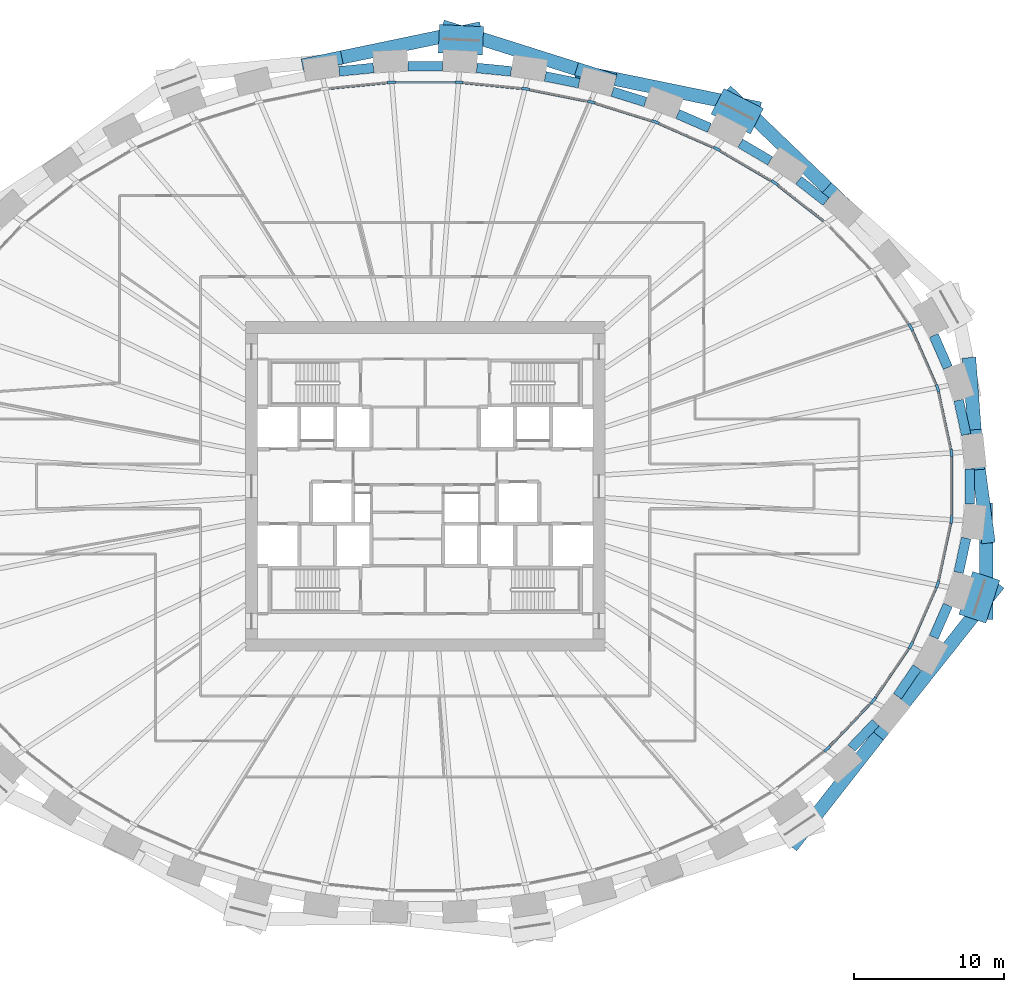
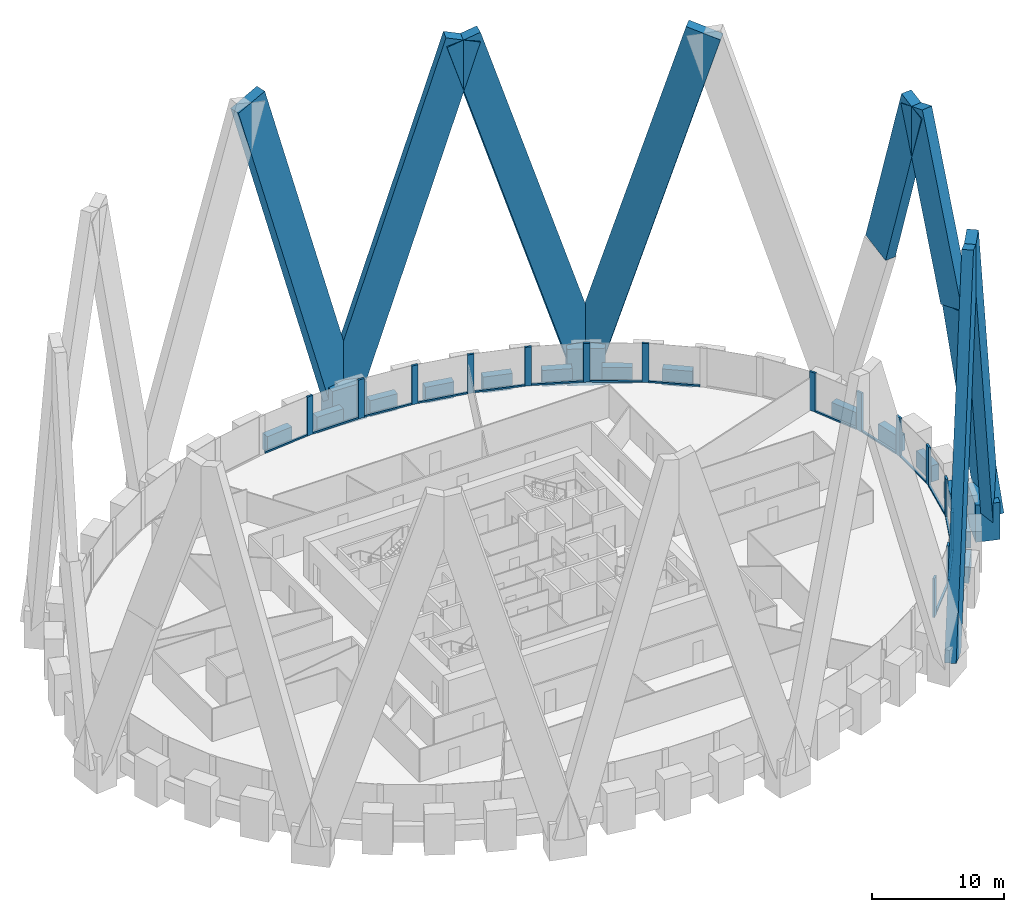
# One storey, part 4 of 12: 42 members, 15 beams, 1 element without a shape of its own.
"""IFC4 building model written with IfcOpenShell, lengths in metres."""

from ifc_helpers import new_model, si_unit, direction, frame, origin, origin_2d, place, context, subcontext, project, spatial, rectangle, extrude, source, transform, mapped, material, material_profile, profile_set, type_object, element, aggregate, save


model = new_model("IFC4")

# Units and contexts
model_context = context("Model", 3, precision=1e-05, world=origin(), true_north=direction((0.0, 1.0)))
body_context = subcontext(model_context, "Body", "Model", "MODEL_VIEW")
ifc_project = project(units=[si_unit("LENGTHUNIT", "METRE"), si_unit("AREAUNIT", "SQUARE_METRE"), si_unit("VOLUMEUNIT", "CUBIC_METRE"), si_unit("PLANEANGLEUNIT", "RADIAN"), si_unit("MASSUNIT", "GRAM", prefix="KILO")], contexts=[model_context])

# Site, building, storey
site_placement = place(None, origin())
site = spatial("IfcSite", under=ifc_project, at=site_placement, CompositionType="ELEMENT")
building_placement = place(site_placement, origin())
building = spatial("IfcBuilding", under=site, at=building_placement, Name="Embergate Tower", CompositionType="ELEMENT")
storey_placement = place(building_placement, frame((0.0, 0.0, 191.10009765625)))
storey = spatial("IfcBuildingStorey", under=building, at=storey_placement, Name="L43", CompositionType="ELEMENT", Elevation=191.10009765625)

# Beams
ifc_material_1 = material(Name="Concrete C70", Category="concrete")
ifc_material_profile_1 = material_profile(ifc_material_1, rectangle(XDim=0.64990234375, YDim=1.5, at=origin_2d()), Name="RC 650x1500")
ifc_profile_set_1 = profile_set([ifc_material_profile_1], Name="Concrete C70")
beam_type = type_object("IfcBeamType", Name="Spandrel beam RC 650x1500 C70", PredefinedType="BEAM", material=ifc_profile_set_1)
shared_shape_1 = source(origin(), body_context, "Body", "SweptSolid", [
    extrude(rectangle(XDim=0.64990234375, YDim=1.5, at=origin_2d()), origin(), (0.0, 0.0, 1.0), 2.34375),
])
for number, where, z_axis, x_axis, name in (
    (1, (36.10791015625, 3.458984375, 0.0), (-0.210738330645, 0.977542508537, 0.0), (-0.977542508537, -0.210738330645, 0.0), "SPN-L43-00"),
    (2, (35.614013671875, -5.75, 0.0), (0.210738330645, 0.977542508537, 0.0), (-0.977542508537, 0.210738330645, 0.0), "SPN-L43-42"),
):
    element("IfcBeam", number, at=place(storey_placement, frame(where, z_axis=z_axis, x_axis=x_axis)), inside=storey, type_object=beam_type, Name=name, PredefinedType="BEAM", context=body_context, shape_type="MappedRepresentation", body=[
        mapped(shared_shape_1, transform((0.0, 0.0, 0.0))),
    ])
shared_shape_2 = source(origin(), body_context, "Body", "SweptSolid", [
    extrude(rectangle(XDim=0.64990234375, YDim=1.5, at=origin_2d()), origin(), (0.0, 0.0, 1.0), 2.3349609375),
])
for number, where, z_axis, x_axis, name in (
    (3, (34.887939453125, 7.931884765625, 0.0), (-0.401729187016, 0.915758516368, 0.0), (-0.915758516368, -0.401729187016, 0.0), "SPN-L43-01"),
    (4, (33.949951171875, -10.070068359375, 0.0), (0.401729187016, 0.915758516368, 0.0), (-0.915758516368, 0.401729187016, 0.0), "SPN-L43-41"),
):
    element("IfcBeam", number, at=place(storey_placement, frame(where, z_axis=z_axis, x_axis=x_axis)), inside=storey, type_object=beam_type, Name=name, PredefinedType="BEAM", context=body_context, shape_type="MappedRepresentation", body=[
        mapped(shared_shape_2, transform((0.0, 0.0, 0.0))),
    ])
shared_shape_3 = source(origin(), body_context, "Body", "SweptSolid", [
    extrude(rectangle(XDim=0.64990234375, YDim=1.5, at=origin_2d()), origin(), (0.0, 0.0, 1.0), 2.329345703125),
])
beam_1_placement = place(storey_placement, frame((31.52587890625, -14.009033203125, 0.0), z_axis=(0.562416089232, 0.826854366, 0.0), x_axis=(-0.826854366, 0.562416089232, 0.0)))
element("IfcBeam", 5, at=beam_1_placement, inside=storey, type_object=beam_type, Name="SPN-L43-40", PredefinedType="BEAM", context=body_context, shape_type="MappedRepresentation", body=[
    mapped(shared_shape_3, transform((0.0, 0.0, 0.0))),
])
shared_shape_4 = source(origin(), body_context, "Body", "SweptSolid", [
    extrude(rectangle(XDim=0.64990234375, YDim=1.5, at=origin_2d()), origin(), (0.0, 0.0, 1.0), 2.322265625),
])
beam_2_placement = place(storey_placement, frame((28.462890625, -17.466064453125, 0.0), z_axis=(0.690300694886, 0.723522598569, 0.0), x_axis=(-0.723522598569, 0.690300694886, 0.0)))
element("IfcBeam", 6, at=beam_2_placement, inside=storey, type_object=beam_type, Name="SPN-L43-39", PredefinedType="BEAM", context=body_context, shape_type="MappedRepresentation", body=[
    mapped(shared_shape_4, transform((0.0, 0.0, 0.0))),
])
shared_shape_5 = source(origin(), body_context, "Body", "SweptSolid", [
    extrude(rectangle(XDim=0.64990234375, YDim=1.5, at=origin_2d()), origin(), (0.0, 0.0, 1.0), 2.31787109375),
])
beam_3_placement = place(storey_placement, frame((26.758056640625, 19.010009765625, 0.0), z_axis=(-0.788324506127, 0.615259679354, 0.0), x_axis=(-0.615259679354, -0.788324506127, 0.0)))
element("IfcBeam", 7, at=beam_3_placement, inside=storey, type_object=beam_type, Name="SPN-L43-04", PredefinedType="BEAM", context=body_context, shape_type="MappedRepresentation", body=[
    mapped(shared_shape_5, transform((0.0, 0.0, 0.0))),
])
shared_shape_6 = source(origin(), body_context, "Body", "SweptSolid", [
    extrude(rectangle(XDim=0.64990234375, YDim=1.5, at=origin_2d()), origin(), (0.0, 0.0, 1.0), 2.31298828125),
])
beam_4_placement = place(storey_placement, frame((23.029052734375, 21.72998046875, 0.0), z_axis=(-0.86210510292, 0.506729505279, 0.0), x_axis=(-0.506729505279, -0.86210510292, 0.0)))
element("IfcBeam", 8, at=beam_4_placement, inside=storey, type_object=beam_type, Name="SPN-L43-05", PredefinedType="BEAM", context=body_context, shape_type="MappedRepresentation", body=[
    mapped(shared_shape_6, transform((0.0, 0.0, 0.0))),
])
shared_shape_7 = source(origin(), body_context, "Body", "SweptSolid", [
    extrude(rectangle(XDim=0.64990234375, YDim=1.5, at=origin_2d()), origin(), (0.0, 0.0, 1.0), 2.30810546875),
])
beam_5_placement = place(storey_placement, frame((18.97705078125, 23.929931640625, 0.0), z_axis=(-0.91635386748, 0.40036931645, 0.0), x_axis=(-0.40036931645, -0.91635386748, 0.0)))
element("IfcBeam", 9, at=beam_5_placement, inside=storey, type_object=beam_type, Name="SPN-L43-06", PredefinedType="BEAM", context=body_context, shape_type="MappedRepresentation", body=[
    mapped(shared_shape_7, transform((0.0, 0.0, 0.0))),
])
shared_shape_8 = source(origin(), body_context, "Body", "SweptSolid", [
    extrude(rectangle(XDim=0.64990234375, YDim=1.5, at=origin_2d()), origin(), (0.0, 0.0, 1.0), 2.306640625),
])
beam_6_placement = place(storey_placement, frame((14.70703125, 25.657958984375, 0.0), z_axis=(-0.954743281812, 0.297431111074, 0.0), x_axis=(-0.297431111074, -0.954743281812, 0.0)))
element("IfcBeam", 10, at=beam_6_placement, inside=storey, type_object=beam_type, Name="SPN-L43-07", PredefinedType="BEAM", context=body_context, shape_type="MappedRepresentation", body=[
    mapped(shared_shape_8, transform((0.0, 0.0, 0.0))),
])
shared_shape_9 = source(origin(), body_context, "Body", "SweptSolid", [
    extrude(rectangle(XDim=0.64990234375, YDim=1.5, at=origin_2d()), origin(), (0.0, 0.0, 1.0), 2.3037109375),
])
beam_7_placement = place(storey_placement, frame((10.27587890625, 26.9130859375, 0.0), z_axis=(-0.980486815957, 0.196584851232, 0.0), x_axis=(-0.196584851232, -0.980486815957, 0.0)))
element("IfcBeam", 11, at=beam_7_placement, inside=storey, type_object=beam_type, Name="SPN-L43-08", PredefinedType="BEAM", context=body_context, shape_type="MappedRepresentation", body=[
    mapped(shared_shape_9, transform((0.0, 0.0, 0.0))),
])
shared_shape_10 = source(origin(), body_context, "Body", "SweptSolid", [
    extrude(rectangle(XDim=0.64990234375, YDim=1.5, at=origin_2d()), origin(), (0.0, 0.0, 1.0), 2.303955078125),
])
for number, where, z_axis, x_axis, name in (
    (12, (5.741943359375, 27.705078125, 0.0), (-0.995226305482, 0.097594061685, 0.0), (-0.097594061685, -0.995226305482, 0.0), "SPN-L43-09"),
    (13, (-3.448974609375, 27.929931640625, 0.0), (-0.995226305482, -0.097594061685, 0.0), (0.097594061685, -0.995226305482, 0.0), "SPN-L43-11"),
):
    element("IfcBeam", number, at=place(storey_placement, frame(where, z_axis=z_axis, x_axis=x_axis)), inside=storey, type_object=beam_type, Name=name, PredefinedType="BEAM", context=body_context, shape_type="MappedRepresentation", body=[
        mapped(shared_shape_10, transform((0.0, 0.0, 0.0))),
    ])
shared_shape_11 = source(origin(), body_context, "Body", "SweptSolid", [
    extrude(rectangle(XDim=0.64990234375, YDim=1.5, at=origin_2d()), origin(), (0.0, 0.0, 1.0), 2.30419921875),
])
beam_8_placement = place(storey_placement, frame((1.152099609375, 28.04296875, 0.0), z_axis=(-1.0, 0.0, 0.0), x_axis=(0.0, -1.0, 0.0)))
element("IfcBeam", 14, at=beam_8_placement, inside=storey, type_object=beam_type, Name="SPN-L43-10", PredefinedType="BEAM", context=body_context, shape_type="MappedRepresentation", body=[
    mapped(shared_shape_11, transform((0.0, 0.0, 0.0))),
])
shared_shape_12 = source(origin(), body_context, "Body", "SweptSolid", [
    extrude(rectangle(XDim=0.64990234375, YDim=1.5, at=origin_2d()), origin(), (0.0, 0.0, 1.0), 2.34423828125),
])
beam_9_placement = place(storey_placement, frame((36.35107421875, -1.172119140625, 0.0), z_axis=(0.0, 1.0, 0.0), x_axis=(-1.0, 0.0, 0.0)))
element("IfcBeam", 15, at=beam_9_placement, inside=storey, type_object=beam_type, Name="SPN-L43-43", PredefinedType="BEAM", context=body_context, shape_type="MappedRepresentation", body=[
    mapped(shared_shape_12, transform((0.0, 0.0, 0.0))),
])

# Members
ifc_material_profile_2 = material_profile(ifc_material_1, rectangle(XDim=1.89990234375, YDim=3.0, at=origin_2d()), Name="RC 1900x3000")
ifc_profile_set_2 = profile_set([ifc_material_profile_2], Name="Concrete C70")
member_type_1 = type_object("IfcMemberType", Name="Lattice node block RC 1900x3000", PredefinedType="POST", material=ifc_profile_set_2)
shared_shape_13 = source(origin(), body_context, "Body", "SweptSolid", [
    extrude(rectangle(XDim=1.89990234375, YDim=3.0, at=origin_2d()), origin(), (0.0, 0.0, 1.0), 3.449951171875),
])
member_1_placement = place(storey_placement, frame((36.989990234375, -7.406982421875, -1.72509765625), z_axis=(0.0, 0.0, 1.0), x_axis=(0.950754033697, -0.309946394413, 0.0)))
element("IfcMember", 16, at=member_1_placement, inside=storey, type_object=member_type_1, Name="NOD-L43-42", PredefinedType="POST", context=body_context, shape_type="MappedRepresentation", body=[
    mapped(shared_shape_13, transform((0.0, 0.0, 0.0))),
])
ifc_material_profile_3 = material_profile(ifc_material_1, rectangle(XDim=1.89990234375, YDim=2.949951171875, at=origin_2d()), Name="RC 1900x2950")
ifc_profile_set_3 = profile_set([ifc_material_profile_3], Name="Concrete C70")
member_type_2 = type_object("IfcMemberType", Name="Lattice node block RC 1900x2950", PredefinedType="POST", material=ifc_profile_set_3)
shared_shape_14 = source(origin(), body_context, "Body", "SweptSolid", [
    extrude(rectangle(XDim=1.89990234375, YDim=2.949951171875, at=origin_2d()), origin(), (0.0, 0.0, 1.0), 3.400146484375),
])
for number, where, z_axis, x_axis, name in (
    (17, (20.83203125, 25.041015625, -1.7001953125), (0.0, 0.0, 1.0), (0.453010512651, 0.891505174089, 0.0), "NOD-L43-06"),
    (18, (2.388916015625, 29.805908203125, -1.7001953125), (0.0, 0.0, 1.0), (0.048814904854, 0.998807841912, 0.0), "NOD-L43-10"),
):
    element("IfcMember", number, at=place(storey_placement, frame(where, z_axis=z_axis, x_axis=x_axis)), inside=storey, type_object=member_type_2, Name=name, PredefinedType="POST", context=body_context, shape_type="MappedRepresentation", body=[
        mapped(shared_shape_14, transform((0.0, 0.0, 0.0))),
    ])
ifc_material_profile_4 = material_profile(ifc_material_1, rectangle(XDim=0.89990234375, YDim=2.800048828125, at=origin_2d()), Name="RC 900x2800")
ifc_profile_set_4 = profile_set([ifc_material_profile_4], Name="Concrete C70")
member_type_3 = type_object("IfcMemberType", Name="Lattice diagonal terracotta-faced RC 900x2800", PredefinedType="BRACE", material=ifc_profile_set_4)
shared_shape_15 = source(origin(), body_context, "Body", "SweptSolid", [
    extrude(rectangle(XDim=0.89990234375, YDim=2.800048828125, at=origin_2d()), origin(), (0.0, 0.0, 1.0), 16.615234375),
])
member_2_placement = place(storey_placement, frame((36.409912109375, 7.256103515625, 15.89990234375), z_axis=(0.022099328324, -0.28943654876, 0.956942058815), x_axis=(0.997097798328, 0.076131337633, 0.0)))
element("IfcMember", 19, at=member_2_placement, inside=storey, type_object=member_type_3, Name="BRC-L43-02-00-S01", PredefinedType="BRACE", context=body_context, shape_type="MappedRepresentation", body=[
    mapped(shared_shape_15, transform((0.0, 0.0, 0.0))),
])
shared_shape_16 = source(origin(), body_context, "Body", "SweptSolid", [
    extrude(rectangle(XDim=0.89990234375, YDim=2.800048828125, at=origin_2d()), origin(), (0.0, 0.0, 1.0), 33.142333984375),
])
member_3_placement = place(storey_placement, frame((21.054931640625, 25.48095703125, 0.0), z_axis=(0.203217880854, -0.195129533692, 0.959493073442), x_axis=(0.692606390087, 0.721315734204, 0.0)))
element("IfcMember", 20, at=member_3_placement, inside=storey, type_object=member_type_3, Name="BRC-L43-06-04-S00", PredefinedType="BRACE", context=body_context, shape_type="MappedRepresentation", body=[
    mapped(shared_shape_16, transform((0.0, 0.0, 0.0))),
])
shared_shape_17 = source(origin(), body_context, "Body", "SweptSolid", [
    extrude(rectangle(XDim=0.89990234375, YDim=2.800048828125, at=origin_2d()), origin(), (0.0, 0.0, 1.0), 33.295654296875),
])
member_4_placement = place(storey_placement, frame((21.054931640625, 25.48095703125, 0.0), z_axis=(-0.290338717702, 0.059437459483, 0.955076236441), x_axis=(-0.200558153882, -0.979681798806, 0.0)))
element("IfcMember", 21, at=member_4_placement, inside=storey, type_object=member_type_3, Name="BRC-L43-06-08-S00", PredefinedType="BRACE", context=body_context, shape_type="MappedRepresentation", body=[
    mapped(shared_shape_17, transform((0.0, 0.0, 0.0))),
])
shared_shape_18 = source(origin(), body_context, "Body", "SweptSolid", [
    extrude(rectangle(XDim=0.89990234375, YDim=2.800048828125, at=origin_2d()), origin(), (0.0, 0.0, 1.0), 33.16357421875),
])
member_5_placement = place(storey_placement, frame((2.4130859375, 30.298095703125, 0.0), z_axis=(0.270622855974, -0.08557957348, 0.958874030531), x_axis=(0.30151490719, 0.953461462641, 0.0)))
element("IfcMember", 22, at=member_5_placement, inside=storey, type_object=member_type_3, Name="BRC-L43-10-08-S00", PredefinedType="BRACE", context=body_context, shape_type="MappedRepresentation", body=[
    mapped(shared_shape_18, transform((0.0, 0.0, 0.0))),
])
shared_shape_19 = source(origin(), body_context, "Body", "SweptSolid", [
    extrude(rectangle(XDim=0.89990234375, YDim=2.800048828125, at=origin_2d()), origin(), (0.0, 0.0, 1.0), 33.1845703125),
])
member_6_placement = place(storey_placement, frame((2.4130859375, 30.298095703125, 0.0), z_axis=(-0.279833817711, -0.058341628311, 0.958274119901), x_axis=(0.204098141928, -0.978950432076, 0.0)))
element("IfcMember", 23, at=member_6_placement, inside=storey, type_object=member_type_3, Name="BRC-L43-10-12-S00", PredefinedType="BRACE", context=body_context, shape_type="MappedRepresentation", body=[
    mapped(shared_shape_19, transform((0.0, 0.0, 0.0))),
])
shared_shape_20 = source(origin(), body_context, "Body", "SweptSolid", [
    extrude(rectangle(XDim=0.89990234375, YDim=2.800048828125, at=origin_2d()), origin(), (0.0, 0.0, 1.0), 33.160888671875),
])
member_7_placement = place(storey_placement, frame((25.27587890625, -22.998046875, 0.0), z_axis=(0.174846900135, 0.223246559973, 0.958952311105), x_axis=(-0.787278676437, 0.616597344811, 0.0)))
element("IfcMember", 24, at=member_7_placement, inside=storey, type_object=member_type_3, Name="BRC-L43-38-40-S00", PredefinedType="BRACE", context=body_context, shape_type="MappedRepresentation", body=[
    mapped(shared_shape_20, transform((0.0, 0.0, 0.0))),
])
shared_shape_21 = source(origin(), body_context, "Body", "SweptSolid", [
    extrude(rectangle(XDim=0.89990234375, YDim=2.800048828125, at=origin_2d()), origin(), (0.0, 0.0, 1.0), 16.69873046875),
])
member_8_placement = place(storey_placement, frame((37.458984375, -7.56005859375, 0.0), z_axis=(-0.001549750546, 0.30559326337, 0.952160887485), x_axis=(-0.999987141282, -0.005071219834, 0.0)))
element("IfcMember", 25, at=member_8_placement, inside=storey, type_object=member_type_3, Name="BRC-L43-42-00-S00", PredefinedType="BRACE", context=body_context, shape_type="MappedRepresentation", body=[
    mapped(shared_shape_21, transform((0.0, 0.0, 0.0))),
])
shared_shape_22 = source(origin(), body_context, "Body", "SweptSolid", [
    extrude(rectangle(XDim=0.89990234375, YDim=2.800048828125, at=origin_2d()), origin(), (0.0, 0.0, 1.0), 16.65185546875),
])
member_9_placement = place(storey_placement, frame((37.43310546875, -2.45703125, 15.89990234375), z_axis=(-0.039395170668, 0.294503458582, 0.954838066591), x_axis=(-0.991171355634, -0.132587117668, 0.0)))
element("IfcMember", 26, at=member_9_placement, inside=storey, type_object=member_type_3, Name="BRC-L43-42-00-S01", PredefinedType="BRACE", context=body_context, shape_type="MappedRepresentation", body=[
    mapped(shared_shape_22, transform((0.0, 0.0, 0.0))),
])
shared_shape_23 = source(origin(), body_context, "Body", "SweptSolid", [
    extrude(rectangle(XDim=0.89990234375, YDim=2.800048828125, at=origin_2d()), origin(), (0.0, 0.0, 1.0), 33.414794921875),
])
member_10_placement = place(storey_placement, frame((37.458984375, -7.56005859375, 0.0), z_axis=(-0.191082696586, -0.240458938835, 0.951665330775), x_axis=(0.782904658154, -0.622141701094, 0.0)))
element("IfcMember", 27, at=member_10_placement, inside=storey, type_object=member_type_3, Name="BRC-L43-42-40-S00", PredefinedType="BRACE", context=body_context, shape_type="MappedRepresentation", body=[
    mapped(shared_shape_23, transform((0.0, 0.0, 0.0))),
])

# Curtain wall, members
ifc_material_2 = material(Name="Aluminium and glass", Category="aluminium")
curtain_wall_type = type_object("IfcCurtainWallType", Name="Recessed office glazing", PredefinedType="NOTDEFINED", material=ifc_material_2)
curtain_wall_placement = place(storey_placement, origin())
curtain_wall = element("IfcCurtainWall", 28, at=curtain_wall_placement, inside=storey, type_object=curtain_wall_type, Name="Recessed office glazing ring", ObjectType="RECESSED OFFICE GLAZING", PredefinedType="USERDEFINED")
ifc_material_3 = material(Name="Aluminium, thermally broken", Category="aluminium")
ifc_material_profile_5 = material_profile(ifc_material_3, rectangle(XDim=0.179931640625, YDim=0.52001953125, at=origin_2d()), Name="AL 520x180")
ifc_profile_set_5 = profile_set([ifc_material_profile_5], Name="Aluminium, thermally broken")
member_type_4 = type_object("IfcMemberType", Name="Office mullion", PredefinedType="MULLION", material=ifc_profile_set_5)
shared_shape_24 = source(origin(), body_context, "Body", "SweptSolid", [
    extrude(rectangle(XDim=0.179931640625, YDim=0.52001953125, at=origin_2d()), origin(), (0.0, 0.0, 1.0), 3.599853515625),
])
member_11_placement = place(storey_placement, frame((35.13623046875, 2.215087890625, 0.0), z_axis=(0.0, 0.0, 1.0), x_axis=(-0.994384770038, -0.105824992874, 0.0)))
member_11 = element("IfcMember", 29, at=member_11_placement, type_object=member_type_4, Name="CW mullion 1", PredefinedType="MULLION", context=body_context, shape_type="MappedRepresentation", body=[
    mapped(shared_shape_24, transform((0.0, 0.0, 0.0))),
])
member_12_placement = place(storey_placement, frame((34.20361328125, 6.548583984375, 0.0), z_axis=(0.0, 0.0, 1.0), x_axis=(-0.951496187099, -0.307660536853, 0.0)))
member_12 = element("IfcMember", 30, at=member_12_placement, type_object=member_type_4, Name="CW mullion 2", PredefinedType="MULLION", context=body_context, shape_type="MappedRepresentation", body=[
    mapped(shared_shape_24, transform((0.0, 0.0, 0.0))),
])
member_13_placement = place(storey_placement, frame((32.42041015625, 10.6142578125, 0.0), z_axis=(0.0, 0.0, 1.0), x_axis=(-0.874999360976, -0.484124073241, 0.0)))
member_13 = element("IfcMember", 31, at=member_13_placement, type_object=member_type_4, Name="CW mullion 3", PredefinedType="MULLION", context=body_context, shape_type="MappedRepresentation", body=[
    mapped(shared_shape_24, transform((0.0, 0.0, 0.0))),
])
member_14_placement = place(storey_placement, frame((23.323486328125, 20.264892578125, 0.0), z_axis=(0.0, 0.0, 1.0), x_axis=(-0.56221328843, -0.826992272221, 0.0)))
member_14 = element("IfcMember", 32, at=member_14_placement, type_object=member_type_4, Name="CW mullion 6", PredefinedType="MULLION", context=body_context, shape_type="MappedRepresentation", body=[
    mapped(shared_shape_24, transform((0.0, 0.0, 0.0))),
])
member_15_placement = place(storey_placement, frame((19.469970703125, 22.530517578125, 0.0), z_axis=(0.0, 0.0, 1.0), x_axis=(-0.454506716612, -0.890743310138, 0.0)))
member_15 = element("IfcMember", 33, at=member_15_placement, type_object=member_type_4, Name="CW mullion 7", PredefinedType="MULLION", context=body_context, shape_type="MappedRepresentation", body=[
    mapped(shared_shape_24, transform((0.0, 0.0, 0.0))),
])
member_16_placement = place(storey_placement, frame((15.369873046875, 24.3232421875, 0.0), z_axis=(0.0, 0.0, 1.0), x_axis=(-0.349499412327, -0.936936583117, 0.0)))
member_16 = element("IfcMember", 34, at=member_16_placement, type_object=member_type_4, Name="CW mullion 8", PredefinedType="MULLION", context=body_context, shape_type="MappedRepresentation", body=[
    mapped(shared_shape_24, transform((0.0, 0.0, 0.0))),
])
member_17_placement = place(storey_placement, frame((11.093994140625, 25.65478515625, 0.0), z_axis=(0.0, 0.0, 1.0), x_axis=(-0.247310190257, -0.968936360034, 0.0)))
member_17 = element("IfcMember", 35, at=member_17_placement, type_object=member_type_4, Name="CW mullion 9", PredefinedType="MULLION", context=body_context, shape_type="MappedRepresentation", body=[
    mapped(shared_shape_24, transform((0.0, 0.0, 0.0))),
])
member_18_placement = place(storey_placement, frame((6.701171875, 26.535888671875, 0.0), z_axis=(0.0, 0.0, 1.0), x_axis=(-0.147410656556, -0.989075375456, 0.0)))
member_18 = element("IfcMember", 36, at=member_18_placement, type_object=member_type_4, Name="CW mullion 10", PredefinedType="MULLION", context=body_context, shape_type="MappedRepresentation", body=[
    mapped(shared_shape_24, transform((0.0, 0.0, 0.0))),
])
member_19_placement = place(storey_placement, frame((2.240966796875, 26.974365234375, 0.0), z_axis=(0.0, 0.0, 1.0), x_axis=(-0.048970053385, -0.998800247232, 0.0)))
member_19 = element("IfcMember", 37, at=member_19_placement, type_object=member_type_4, Name="CW mullion 11", PredefinedType="MULLION", context=body_context, shape_type="MappedRepresentation", body=[
    mapped(shared_shape_24, transform((0.0, 0.0, 0.0))),
])
member_20_placement = place(storey_placement, frame((-2.240966796875, 26.974365234375, 0.0), z_axis=(0.0, 0.0, 1.0), x_axis=(0.048970053385, -0.998800247232, 0.0)))
member_20 = element("IfcMember", 38, at=member_20_placement, type_object=member_type_4, Name="CW mullion 12", PredefinedType="MULLION", context=body_context, shape_type="MappedRepresentation", body=[
    mapped(shared_shape_24, transform((0.0, 0.0, 0.0))),
])
member_21_placement = place(storey_placement, frame((26.843017578125, -17.51806640625, 0.0), z_axis=(0.0, 0.0, 1.0), x_axis=(-0.671222652759, 0.741255792843, 0.0)))
member_21 = element("IfcMember", 39, at=member_21_placement, type_object=member_type_4, Name="CW mullion 40", PredefinedType="MULLION", context=body_context, shape_type="MappedRepresentation", body=[
    mapped(shared_shape_24, transform((0.0, 0.0, 0.0))),
])
member_22_placement = place(storey_placement, frame((29.9189453125, -14.29248046875, 0.0), z_axis=(0.0, 0.0, 1.0), x_axis=(-0.777869273934, 0.628426123477, 0.0)))
member_22 = element("IfcMember", 40, at=member_22_placement, type_object=member_type_4, Name="CW mullion 41", PredefinedType="MULLION", context=body_context, shape_type="MappedRepresentation", body=[
    mapped(shared_shape_24, transform((0.0, 0.0, 0.0))),
])
member_23_placement = place(storey_placement, frame((32.42041015625, -10.6142578125, 0.0), z_axis=(0.0, 0.0, 1.0), x_axis=(-0.874999360976, 0.484124073241, 0.0)))
member_23 = element("IfcMember", 41, at=member_23_placement, type_object=member_type_4, Name="CW mullion 42", PredefinedType="MULLION", context=body_context, shape_type="MappedRepresentation", body=[
    mapped(shared_shape_24, transform((0.0, 0.0, 0.0))),
])
member_24_placement = place(storey_placement, frame((34.20361328125, -6.548583984375, 0.0), z_axis=(0.0, 0.0, 1.0), x_axis=(-0.951496187099, 0.307660536853, 0.0)))
member_24 = element("IfcMember", 42, at=member_24_placement, type_object=member_type_4, Name="CW mullion 43", PredefinedType="MULLION", context=body_context, shape_type="MappedRepresentation", body=[
    mapped(shared_shape_24, transform((0.0, 0.0, 0.0))),
])
member_25_placement = place(storey_placement, frame((35.13623046875, -2.215087890625, 0.0), z_axis=(0.0, 0.0, 1.0), x_axis=(-0.994384770038, 0.105824992874, 0.0)))
member_25 = element("IfcMember", 43, at=member_25_placement, type_object=member_type_4, Name="CW mullion 44", PredefinedType="MULLION", context=body_context, shape_type="MappedRepresentation", body=[
    mapped(shared_shape_24, transform((0.0, 0.0, 0.0))),
])
ifc_material_profile_6 = material_profile(ifc_material_3, rectangle(XDim=0.179931640625, YDim=0.14990234375, at=origin_2d()), Name="AL 150x180")
ifc_profile_set_6 = profile_set([ifc_material_profile_6], Name="Aluminium, thermally broken")
member_type_5 = type_object("IfcMemberType", Name="Office sill transom", PredefinedType="USERDEFINED", material=ifc_profile_set_6)
shared_shape_25 = source(origin(), body_context, "Body", "SweptSolid", [
    extrude(rectangle(XDim=0.179931640625, YDim=0.14990234375, at=origin_2d()), origin(), (0.0, 0.0, 1.0), 3.91259765625),
])
member_26_placement = place(storey_placement, frame((35.08154296875, 2.46923828125, 0.074951171875), z_axis=(-0.210411119348, 0.977612991349, 0.0), x_axis=(-0.977612991349, -0.210411119348, 0.0)))
member_26 = element("IfcMember", 44, at=member_26_placement, type_object=member_type_5, Name="CW transom 1.1", ObjectType="TRANSOM", PredefinedType="USERDEFINED", context=body_context, shape_type="MappedRepresentation", body=[
    mapped(shared_shape_25, transform((0.0, 0.0, 0.0))),
])
member_27_placement = place(storey_placement, frame((34.25830078125, -6.294189453125, 0.074951171875), z_axis=(0.210411119348, 0.977612991349, 0.0), x_axis=(-0.977612991349, 0.210411119348, 0.0)))
member_27 = element("IfcMember", 45, at=member_27_placement, type_object=member_type_5, Name="CW transom 43.1", ObjectType="TRANSOM", PredefinedType="USERDEFINED", context=body_context, shape_type="MappedRepresentation", body=[
    mapped(shared_shape_25, transform((0.0, 0.0, 0.0))),
])
shared_shape_26 = source(origin(), body_context, "Body", "SweptSolid", [
    extrude(rectangle(XDim=0.179931640625, YDim=0.14990234375, at=origin_2d()), origin(), (0.0, 0.0, 1.0), 3.919677734375),
])
member_28_placement = place(storey_placement, frame((34.09912109375, 6.78662109375, 0.074951171875), z_axis=(-0.401625752983, 0.915803884323, 0.0), x_axis=(-0.915803884323, -0.401625752983, 0.0)))
member_28 = element("IfcMember", 46, at=member_28_placement, type_object=member_type_5, Name="CW transom 2.1", ObjectType="TRANSOM", PredefinedType="USERDEFINED", context=body_context, shape_type="MappedRepresentation", body=[
    mapped(shared_shape_26, transform((0.0, 0.0, 0.0))),
])
member_29_placement = place(storey_placement, frame((32.52490234375, -10.376220703125, 0.074951171875), z_axis=(0.401625752983, 0.915803884323, 0.0), x_axis=(-0.915803884323, 0.401625752983, 0.0)))
member_29 = element("IfcMember", 47, at=member_29_placement, type_object=member_type_5, Name="CW transom 42.1", ObjectType="TRANSOM", PredefinedType="USERDEFINED", context=body_context, shape_type="MappedRepresentation", body=[
    mapped(shared_shape_26, transform((0.0, 0.0, 0.0))),
])
shared_shape_27 = source(origin(), body_context, "Body", "SweptSolid", [
    extrude(rectangle(XDim=0.179931640625, YDim=0.14990234375, at=origin_2d()), origin(), (0.0, 0.0, 1.0), 3.928466796875),
])
member_30_placement = place(storey_placement, frame((30.065185546875, -14.07763671875, 0.074951171875), z_axis=(0.562349116306, 0.826899916187, 0.0), x_axis=(-0.826899916187, 0.562349116306, 0.0)))
member_30 = element("IfcMember", 48, at=member_30_placement, type_object=member_type_5, Name="CW transom 41.1", ObjectType="TRANSOM", PredefinedType="USERDEFINED", context=body_context, shape_type="MappedRepresentation", body=[
    mapped(shared_shape_27, transform((0.0, 0.0, 0.0))),
])
shared_shape_28 = source(origin(), body_context, "Body", "SweptSolid", [
    extrude(rectangle(XDim=0.179931640625, YDim=0.14990234375, at=origin_2d()), origin(), (0.0, 0.0, 1.0), 3.93701171875),
])
member_31_placement = place(storey_placement, frame((27.0224609375, -17.329833984375, 0.074951171875), z_axis=(0.690133496305, 0.723682083016, 0.0), x_axis=(-0.723682083016, 0.690133496305, 0.0)))
member_31 = element("IfcMember", 49, at=member_31_placement, type_object=member_type_5, Name="CW transom 40.1", ObjectType="TRANSOM", PredefinedType="USERDEFINED", context=body_context, shape_type="MappedRepresentation", body=[
    mapped(shared_shape_28, transform((0.0, 0.0, 0.0))),
])
shared_shape_29 = source(origin(), body_context, "Body", "SweptSolid", [
    extrude(rectangle(XDim=0.179931640625, YDim=0.14990234375, at=origin_2d()), origin(), (0.0, 0.0, 1.0), 3.9443359375),
])
member_32_placement = place(storey_placement, frame((26.637939453125, 17.677978515625, 0.074951171875), z_axis=(-0.788294548802, 0.615298061373, 0.0), x_axis=(-0.615298061373, -0.788294548802, 0.0)))
member_32 = element("IfcMember", 50, at=member_32_placement, type_object=member_type_5, Name="CW transom 5.1", ObjectType="TRANSOM", PredefinedType="USERDEFINED", context=body_context, shape_type="MappedRepresentation", body=[
    mapped(shared_shape_29, transform((0.0, 0.0, 0.0))),
])
shared_shape_30 = source(origin(), body_context, "Body", "SweptSolid", [
    extrude(rectangle(XDim=0.179931640625, YDim=0.14990234375, at=origin_2d()), origin(), (0.0, 0.0, 1.0), 3.950439453125),
])
member_33_placement = place(storey_placement, frame((23.099609375, 20.396484375, 0.074951171875), z_axis=(-0.862050167167, 0.506822956551, 0.0), x_axis=(-0.506822956551, -0.862050167167, 0.0)))
member_33 = element("IfcMember", 51, at=member_33_placement, type_object=member_type_5, Name="CW transom 6.1", ObjectType="TRANSOM", PredefinedType="USERDEFINED", context=body_context, shape_type="MappedRepresentation", body=[
    mapped(shared_shape_30, transform((0.0, 0.0, 0.0))),
])
shared_shape_31 = source(origin(), body_context, "Body", "SweptSolid", [
    extrude(rectangle(XDim=0.179931640625, YDim=0.14990234375, at=origin_2d()), origin(), (0.0, 0.0, 1.0), 3.954833984375),
])
member_34_placement = place(storey_placement, frame((19.231689453125, 22.634765625, 0.074951171875), z_axis=(-0.916266391988, 0.400569468275, 0.0), x_axis=(-0.400569468275, -0.916266391988, 0.0)))
member_34 = element("IfcMember", 52, at=member_34_placement, type_object=member_type_5, Name="CW transom 7.1", ObjectType="TRANSOM", PredefinedType="USERDEFINED", context=body_context, shape_type="MappedRepresentation", body=[
    mapped(shared_shape_31, transform((0.0, 0.0, 0.0))),
])
shared_shape_32 = source(origin(), body_context, "Body", "SweptSolid", [
    extrude(rectangle(XDim=0.179931640625, YDim=0.14990234375, at=origin_2d()), origin(), (0.0, 0.0, 1.0), 3.958251953125),
])
member_35_placement = place(storey_placement, frame((15.12158203125, 24.400634765625, 0.074951171875), z_axis=(-0.954786767663, 0.297291487089, 0.0), x_axis=(-0.297291487089, -0.954786767663, 0.0)))
member_35 = element("IfcMember", 53, at=member_35_placement, type_object=member_type_5, Name="CW transom 8.1", ObjectType="TRANSOM", PredefinedType="USERDEFINED", context=body_context, shape_type="MappedRepresentation", body=[
    mapped(shared_shape_32, transform((0.0, 0.0, 0.0))),
])
shared_shape_33 = source(origin(), body_context, "Body", "SweptSolid", [
    extrude(rectangle(XDim=0.179931640625, YDim=0.14990234375, at=origin_2d()), origin(), (0.0, 0.0, 1.0), 3.96044921875),
])
member_36_placement = place(storey_placement, frame((10.839111328125, 25.7060546875, 0.074951171875), z_axis=(-0.980485720441, 0.196590315152, 0.0), x_axis=(-0.196590315152, -0.980485720441, 0.0)))
member_36 = element("IfcMember", 54, at=member_36_placement, type_object=member_type_5, Name="CW transom 9.1", ObjectType="TRANSOM", PredefinedType="USERDEFINED", context=body_context, shape_type="MappedRepresentation", body=[
    mapped(shared_shape_33, transform((0.0, 0.0, 0.0))),
])
shared_shape_34 = source(origin(), body_context, "Body", "SweptSolid", [
    extrude(rectangle(XDim=0.179931640625, YDim=0.14990234375, at=origin_2d()), origin(), (0.0, 0.0, 1.0), 3.961669921875),
])
member_37_placement = place(storey_placement, frame((6.4423828125, 26.561279296875, 0.074951171875), z_axis=(-0.995199969404, 0.097862254716, 0.0), x_axis=(-0.097862254716, -0.995199969404, 0.0)))
member_37 = element("IfcMember", 55, at=member_37_placement, type_object=member_type_5, Name="CW transom 10.1", ObjectType="TRANSOM", PredefinedType="USERDEFINED", context=body_context, shape_type="MappedRepresentation", body=[
    mapped(shared_shape_34, transform((0.0, 0.0, 0.0))),
])
member_38_placement = place(storey_placement, frame((-2.499755859375, 26.948974609375, 0.074951171875), z_axis=(-0.995199969404, -0.097862254716, 0.0), x_axis=(0.097862254716, -0.995199969404, 0.0)))
member_38 = element("IfcMember", 56, at=member_38_placement, type_object=member_type_5, Name="CW transom 12.1", ObjectType="TRANSOM", PredefinedType="USERDEFINED", context=body_context, shape_type="MappedRepresentation", body=[
    mapped(shared_shape_34, transform((0.0, 0.0, 0.0))),
])
shared_shape_35 = source(origin(), body_context, "Body", "SweptSolid", [
    extrude(rectangle(XDim=0.179931640625, YDim=0.14990234375, at=origin_2d()), origin(), (0.0, 0.0, 1.0), 3.9619140625),
])
member_39_placement = place(storey_placement, frame((1.98095703125, 26.974365234375, 0.074951171875), z_axis=(-1.0, 0.0, 0.0), x_axis=(0.0, -1.0, 0.0)))
member_39 = element("IfcMember", 57, at=member_39_placement, type_object=member_type_5, Name="CW transom 11.1", ObjectType="TRANSOM", PredefinedType="USERDEFINED", context=body_context, shape_type="MappedRepresentation", body=[
    mapped(shared_shape_35, transform((0.0, 0.0, 0.0))),
])
shared_shape_36 = source(origin(), body_context, "Body", "SweptSolid", [
    extrude(rectangle(XDim=0.179931640625, YDim=0.14990234375, at=origin_2d()), origin(), (0.0, 0.0, 1.0), 3.91015625),
])
member_40_placement = place(storey_placement, frame((35.13623046875, -1.955078125, 0.074951171875), z_axis=(0.0, 1.0, 0.0), x_axis=(-1.0, 0.0, 0.0)))
member_40 = element("IfcMember", 58, at=member_40_placement, type_object=member_type_5, Name="CW transom 44.1", ObjectType="TRANSOM", PredefinedType="USERDEFINED", context=body_context, shape_type="MappedRepresentation", body=[
    mapped(shared_shape_36, transform((0.0, 0.0, 0.0))),
])
aggregate(curtain_wall, [member_11, member_12, member_13, member_14, member_15, member_16, member_17, member_18, member_19, member_20, member_21, member_22, member_23, member_24, member_25, member_26, member_28, member_32, member_33, member_34, member_35, member_36, member_37, member_39, member_38, member_31, member_30, member_29, member_27, member_40])

save(model, "model.ifc")
